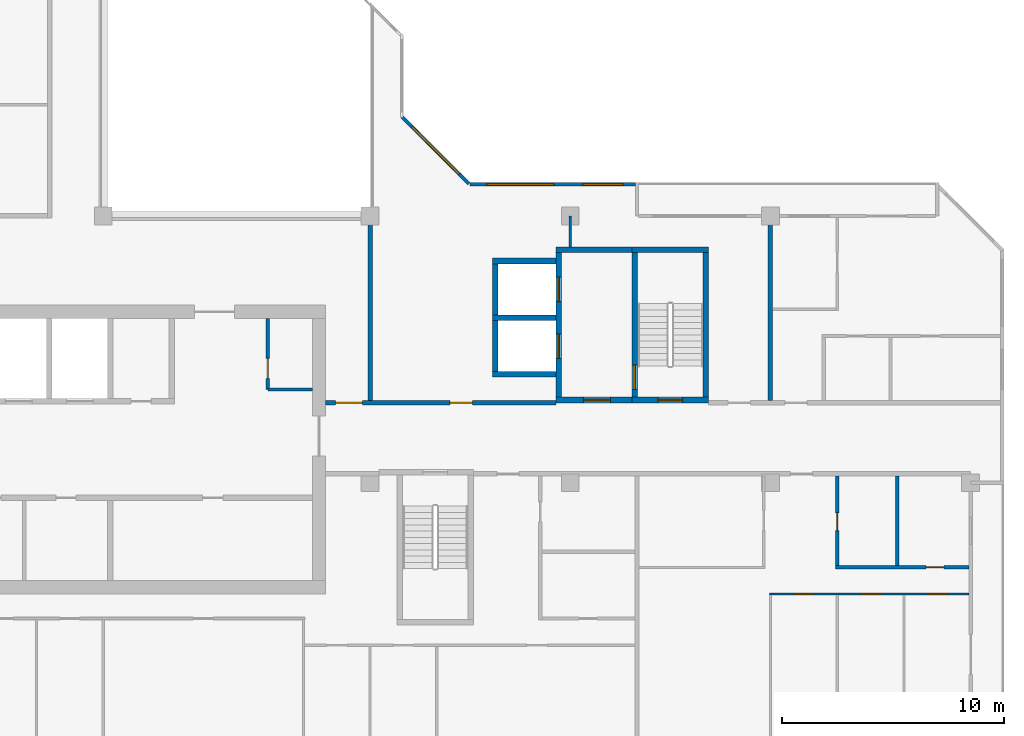
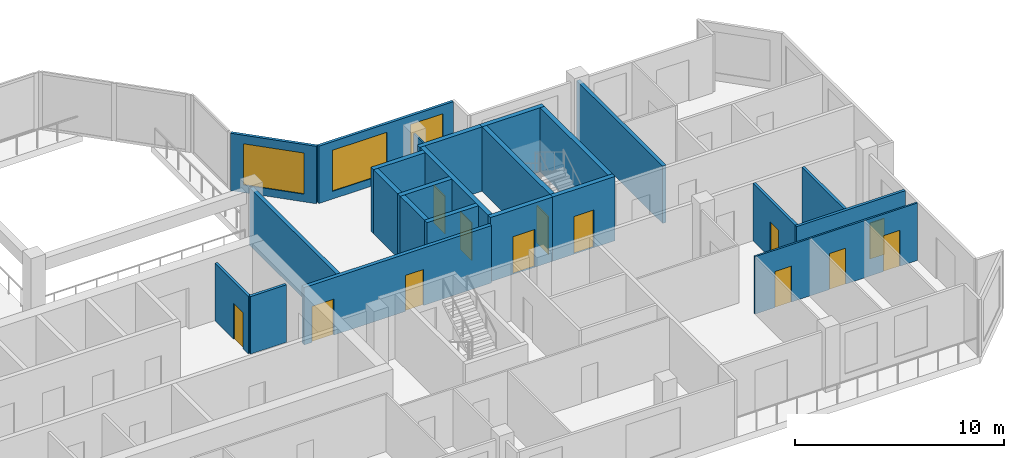
# One storey, part 7 of 13: 24 walls, 13 doors, 3 windows, 16 openings.
"""IFC4 building model written with IfcOpenShell, lengths in metres."""

import ifcopenshell
import ifcopenshell.guid

model = None  # the IFC model being written
_history = None  # IfcOwnerHistory: only IFC2X3 demands one
_inside = {}  # id of a spatial element -> (the spatial element, [elements in it])
_under = {}  # id of a project, library or spatial element -> (it, [spatial elements below it])
_declared = {}  # id of a project -> (the project, [libraries it declares])
_typed = {}  # id of a type object -> (the type object, [elements of that type])
_made_of = {}  # id of a material, layer set ... -> (it, [elements and type objects made of it])


def new_model(schema):
    """Start an empty IFC model of exactly this schema.

    Asked for "IFC4X3", IfcOpenShell would pick the latest addendum, in which some entities
    have other attributes; the version numbers below select the first issue.
    IFC2X3 requires an IfcOwnerHistory on every rooted entity: one is made here for all.
    """
    global model, _history
    if schema == "IFC4X3":
        model = ifcopenshell.file(schema_version=(4, 3, 0, 0))
    else:
        model = ifcopenshell.file(schema=schema)
    _inside.clear()
    _under.clear()
    _declared.clear()
    _typed.clear()
    _made_of.clear()
    _history = None
    if model.schema == "IFC2X3":
        org = make("IfcOrganization", Name="unknown")
        user = make(
            "IfcPersonAndOrganization",
            ThePerson=make("IfcPerson", FamilyName="unknown"),
            TheOrganization=org,
        )
        app = make(
            "IfcApplication",
            ApplicationDeveloper=org,
            Version="unknown",
            ApplicationFullName="unknown",
            ApplicationIdentifier="unknown",
        )
        _history = make(
            "IfcOwnerHistory",
            OwningUser=user,
            OwningApplication=app,
            ChangeAction="ADDED",
            CreationDate=0,
        )
    return model


def make(cls, **values):
    """One entity of the class cls with the attributes given. An attribute that is None is left unset."""
    return model.create_entity(
        cls, **{name: value for name, value in values.items() if value is not None}
    )


def rooted(cls, **values):
    """An entity with a GlobalId (a new one), such as an element, a storey or a relation."""
    return make(cls, GlobalId=ifcopenshell.guid.new(), OwnerHistory=_history, **values)


def si_unit(unit_type, name, prefix=None):
    """IfcSIUnit, for example si_unit("LENGTHUNIT", "METRE", prefix="MILLI")."""
    return make("IfcSIUnit", UnitType=unit_type, Prefix=prefix, Name=name)


def assignment(units):
    """IfcUnitAssignment: the units of a project."""
    return None if units is None else make("IfcUnitAssignment", Units=units)


def point(xyz):
    """IfcCartesianPoint."""
    return None if xyz is None else make("IfcCartesianPoint", Coordinates=xyz)


def direction(xyz):
    """IfcDirection."""
    return None if xyz is None else make("IfcDirection", DirectionRatios=xyz)


def frame(location, z_axis=None, x_axis=None):
    """IfcAxis2Placement3D, a coordinate frame: its origin and axes. An axis left out is left unset."""
    return make(
        "IfcAxis2Placement3D",
        Location=point(location),
        Axis=direction(z_axis),
        RefDirection=direction(x_axis),
    )


def frame_2d(location, x_axis=None):
    """IfcAxis2Placement2D, a coordinate frame in the plane: its origin and x axis."""
    return make(
        "IfcAxis2Placement2D", Location=point(location), RefDirection=direction(x_axis)
    )


def origin():
    """The frame at (0, 0, 0) with its axes left unset."""
    return frame((0.0, 0.0, 0.0))


def place(relative_to, where):
    """IfcLocalPlacement: puts the frame where relative to a parent placement (None: the world)."""
    return make(
        "IfcLocalPlacement", PlacementRelTo=relative_to, RelativePlacement=where
    )


def context(
    kind, dimensions, precision=None, world=None, true_north=None, identifier=None
):
    """IfcGeometricRepresentationContext, for example the 3D "Model" context."""
    return make(
        "IfcGeometricRepresentationContext",
        ContextIdentifier=identifier,
        ContextType=kind,
        CoordinateSpaceDimension=dimensions,
        Precision=precision,
        WorldCoordinateSystem=world,
        TrueNorth=true_north,
    )


def subcontext(parent, identifier, kind, view, scale=None):
    """IfcGeometricRepresentationSubContext, for example "Body" below "Model"."""
    return make(
        "IfcGeometricRepresentationSubContext",
        ContextIdentifier=identifier,
        ContextType=kind,
        ParentContext=parent,
        TargetScale=scale,
        TargetView=view,
    )


def project(units=None, contexts=None):
    """IfcProject with its units and contexts."""
    return rooted(
        "IfcProject",
        Name="project",
        RepresentationContexts=contexts,
        UnitsInContext=assignment(units),
    )


def spatial(cls, under=None, at=None, **own):
    """A site, building, storey or space (cls), placed at a placement, below another one or the project."""
    s = rooted(cls, ObjectPlacement=at, **own)
    if under is not None:
        _under.setdefault(under.id(), (under, []))[1].append(s)
    return s


def profile(cls, at=None, kind="AREA", **sizes):
    """A parametric profile (cls). Its sizes go by their IFC names, for example OverallWidth=200.0."""
    return make(cls, ProfileType=kind, Position=at, **sizes)


def rectangle(**sizes):
    """IfcRectangleProfileDef."""
    return profile("IfcRectangleProfileDef", **sizes)


def extrude(swept, where, along, depth):
    """IfcExtrudedAreaSolid: the profile swept, set in the frame where, extruded along a direction by depth."""
    return make(
        "IfcExtrudedAreaSolid",
        SweptArea=swept,
        Position=where,
        ExtrudedDirection=direction(along),
        Depth=depth,
    )


def shape(context_of_items, identifier, shape_type, items):
    """IfcShapeRepresentation: the items that make up one representation, for example the "Body"."""
    return make(
        "IfcShapeRepresentation",
        ContextOfItems=context_of_items,
        RepresentationIdentifier=identifier,
        RepresentationType=shape_type,
        Items=items,
    )


def material(Name=None, Category=None):
    """IfcMaterial."""
    return make("IfcMaterial", Name=Name, Category=Category)


def layer(
    of_material, thickness, ventilated=None, Name=None, Category=None, Priority=None
):
    """IfcMaterialLayer: one layer of a wall or slab, of a material (None: an air gap)."""
    return make(
        "IfcMaterialLayer",
        Material=of_material,
        LayerThickness=thickness,
        IsVentilated=ventilated,
        Name=Name,
        Category=Category,
        Priority=Priority,
    )


def layer_set(layers, Name=None):
    """IfcMaterialLayerSet."""
    return make("IfcMaterialLayerSet", MaterialLayers=layers, LayerSetName=Name)


def made_of(thing, what):
    """Note that an element or type object is made of a material, layer set ...; save() writes the relation."""
    if what is not None:
        _made_of.setdefault(what.id(), (what, []))[1].append(thing)
    return thing


def type_object(cls, material=None, **own):
    """A type object (cls), such as IfcWallType, which elements share."""
    return made_of(rooted(cls, **own), material)


def element(
    cls,
    number,
    at=None,
    inside=None,
    cuts=None,
    type_object=None,
    material=None,
    context=None,
    identifier="Body",
    shape_type=None,
    held_by="IfcProductDefinitionShape",
    body=None,
    shapes=None,
    **own,
):
    """One element of the class cls, such as IfcWall. Its Tag is "e" and its number.

    at: its placement. inside: the storey or other place that contains it. cuts: it is an
    opening in that element (IfcRelVoidsElement). A single representation is given by context,
    identifier, shape_type and body (its items); several are given by shapes. held_by: the class
    of the entity that holds the representations. save() writes the other relations.
    """
    e = rooted(cls, Tag="e%d" % number, ObjectPlacement=at, **own)
    if body is not None:
        shapes = [shape(context, identifier, shape_type, body)]
    if shapes is not None:
        e.Representation = make(held_by, Representations=shapes)
    if inside is not None:
        _inside.setdefault(inside.id(), (inside, []))[1].append(e)
    if cuts is not None:
        rooted(
            "IfcRelVoidsElement", RelatingBuildingElement=cuts, RelatedOpeningElement=e
        )
    if type_object is not None:
        _typed.setdefault(type_object.id(), (type_object, []))[1].append(e)
    return made_of(e, material)


def fill(opening, filler):
    """IfcRelFillsElement: the door or window that sits in an opening."""
    return rooted(
        "IfcRelFillsElement",
        RelatingOpeningElement=opening,
        RelatedBuildingElement=filler,
    )


def aggregate(whole, parts):
    """IfcRelAggregates: a whole, such as a stair, and the parts it consists of."""
    return rooted("IfcRelAggregates", RelatingObject=whole, RelatedObjects=parts)


def save(model, path):
    """Write the relations noted so far, then the file.

    IfcRelAggregates (storeys below a building ...), IfcRelContainedInSpatialStructure (elements
    in a storey), IfcRelDefinesByType, IfcRelAssociatesMaterial and IfcRelDeclares: one each for
    every whole, place, type object, material and project.
    """
    for whole, parts in _under.values():
        aggregate(whole, parts)
    for where, things in _inside.values():
        rooted(
            "IfcRelContainedInSpatialStructure",
            RelatedElements=things,
            RelatingStructure=where,
        )
    for kind, things in _typed.values():
        rooted("IfcRelDefinesByType", RelatedObjects=things, RelatingType=kind)
    for what, things in _made_of.values():
        rooted("IfcRelAssociatesMaterial", RelatedObjects=things, RelatingMaterial=what)
    for by, libraries in _declared.values():
        rooted("IfcRelDeclares", RelatingContext=by, RelatedDefinitions=libraries)
    model.write(path)


model = new_model("IFC4")

# Units and contexts
model_context = context("Model", 3, precision=1e-05, world=origin(), true_north=direction((0.0, 1.0)))
body_context = subcontext(model_context, "Body", "Model", "MODEL_VIEW")
ifc_project = project(units=[si_unit("LENGTHUNIT", "METRE"), si_unit("AREAUNIT", "SQUARE_METRE"), si_unit("VOLUMEUNIT", "CUBIC_METRE"), si_unit("PLANEANGLEUNIT", "RADIAN"), si_unit("MASSUNIT", "GRAM", prefix="KILO")], contexts=[model_context])

# Site, building, storey
site_placement = place(None, origin())
site = spatial("IfcSite", under=ifc_project, at=site_placement, CompositionType="ELEMENT")
building_placement = place(site_placement, origin())
building = spatial("IfcBuilding", under=site, at=building_placement, Name="Chenar Terraces", CompositionType="ELEMENT")
storey_placement = place(building_placement, frame((0.0, 0.0, 277.14990234375)))
storey = spatial("IfcBuildingStorey", under=building, at=storey_placement, Name="L64", CompositionType="ELEMENT", Elevation=277.14990234375)

# Wall, opening, door
ifc_material_1 = material(Name="Gypsum board on steel studs", Category="steel")
ifc_layer_1 = layer(ifc_material_1, 0.14990234375)
ifc_layer_set_1 = layer_set([ifc_layer_1], Name="Gypsum board on steel studs")
wall_type_1 = type_object("IfcWallType", Name="Core partition 150 gypsum board", PredefinedType="PARTITIONING", material=ifc_layer_set_1)
wall_1_placement = place(storey_placement, frame((31.39990234375, 16.199951171875, 0.0), z_axis=(0.0, 0.0, 1.0), x_axis=(0.0, 1.0, 0.0)))
wall_1 = element("IfcWall", 1, at=wall_1_placement, inside=storey, type_object=wall_type_1, Name="Core partition CP1 vestibule room west wall", PredefinedType="PARTITIONING", context=body_context, shape_type="SweptSolid", body=[
    extrude(rectangle(XDim=3.199951171875, YDim=0.14990234375, at=frame_2d((1.60009765625, 0.0))), origin(), (0.0, 0.0, 1.0), 3.35009765625),
])
opening_1_placement = place(wall_1_placement, frame((0.5, 0.0, 0.0)))
opening_1 = element("IfcOpeningElement", 2, at=opening_1_placement, cuts=wall_1, Name="Opening DL64-C17", PredefinedType="OPENING", context=body_context, shape_type="SweptSolid", body=[
    extrude(rectangle(XDim=0.89990234375, YDim=2.10009765625, at=frame_2d((0.449951171875, 1.050048828125))), frame((0.0, 0.0849609375, 0.0), z_axis=(0.0, -1.0, 0.0), x_axis=(1.0, 0.0, 0.0)), (0.0, 0.0, 1.0), 0.169921875),
])
ifc_material_2 = material(Name="Steel-framed fire-resisting door leaf", Category="steel")
door_type_1 = type_object("IfcDoorType", Name="Riser fire door FD60 900 x 2100", OperationType="SINGLE_SWING_LEFT", PredefinedType="DOOR", material=ifc_material_2)
door_1_placement = place(opening_1_placement, frame((0.89990234375, 0.0, 0.0), z_axis=(0.0, 0.0, 1.0), x_axis=(-1.0, 0.0, 0.0)))
door_1 = element("IfcDoor", 3, at=door_1_placement, inside=storey, type_object=door_type_1, Name="Core room door DL64-C17", OperationType="SINGLE_SWING_RIGHT", OverallHeight=2.10009765625, OverallWidth=0.89990234375, PredefinedType="DOOR", context=body_context, shape_type="SweptSolid", body=[
    extrude(rectangle(XDim=0.89990234375, YDim=2.10009765625, at=frame_2d((0.449951171875, 1.050048828125))), frame((0.0, 0.02490234375, 0.0), z_axis=(0.0, -1.0, 0.0), x_axis=(1.0, 0.0, 0.0)), (0.0, 0.0, 1.0), 0.050048828125),
])
fill(opening_1, door_1)

# Wall
wall_2_placement = place(storey_placement, frame((31.39990234375, 16.199951171875, 0.0), z_axis=(0.0, 0.0, 1.0), x_axis=(1.0, 0.0, 0.0)))
element("IfcWall", 4, at=wall_2_placement, inside=storey, type_object=wall_type_1, Name="Core partition CP1 vestibule room south wall", PredefinedType="PARTITIONING", context=body_context, shape_type="SweptSolid", body=[
    extrude(rectangle(XDim=2.0, YDim=0.14990234375, at=frame_2d((1.0, 0.0))), origin(), (0.0, 0.0, 1.0), 3.35009765625),
])

# Wall, opening, door
ifc_material_3 = material(Name="Concrete C50/60", Category="concrete")
ifc_layer_2 = layer(ifc_material_3, 0.25)
ifc_layer_set_2 = layer_set([ifc_layer_2], Name="Concrete C50/60")
wall_type_2 = type_object("IfcWallType", Name="Core wall 250 Concrete C50/60", PredefinedType="SHEAR", material=ifc_layer_set_2)
wall_3_placement = place(storey_placement, frame((47.77490234375, 15.72509765625, 0.0), z_axis=(0.0, 0.0, 1.0), x_axis=(1.0, 0.0, 0.0)))
wall_3 = element("IfcWall", 5, at=wall_3_placement, inside=storey, type_object=wall_type_2, Name="Core wall ST3_S L64", PredefinedType="SHEAR", context=body_context, shape_type="SweptSolid", body=[
    extrude(rectangle(XDim=3.4501953125, YDim=0.25, at=frame_2d((1.72509765625, 0.0))), origin(), (0.0, 0.0, 1.0), 3.75),
])
opening_2_placement = place(wall_3_placement, frame((1.175048828125, 0.0, 0.0)))
opening_2 = element("IfcOpeningElement", 6, at=opening_2_placement, cuts=wall_3, Name="Opening DL64-C8", PredefinedType="OPENING", context=body_context, shape_type="SweptSolid", body=[
    extrude(rectangle(XDim=1.10009765625, YDim=2.199951171875, at=frame_2d((0.550048828125, 1.10009765625))), frame((0.0, 0.135009765625, 0.0), z_axis=(0.0, -1.0, 0.0), x_axis=(1.0, 0.0, 0.0)), (0.0, 0.0, 1.0), 0.27001953125),
])
ifc_material_4 = material(Name="Steel-framed fire-resisting door leaf", Category="steel")
door_type_2 = type_object("IfcDoorType", Name="Stair fire door FD60 1100 x 2200", OperationType="SINGLE_SWING_LEFT", PredefinedType="DOOR", material=ifc_material_4)
door_2_placement = place(opening_2_placement, frame((1.10009765625, 0.0, 0.0), z_axis=(0.0, 0.0, 1.0), x_axis=(-1.0, 0.0, 0.0)))
door_2 = element("IfcDoor", 7, at=door_2_placement, inside=storey, type_object=door_type_2, Name="Stair door DL64-C8", OperationType="SINGLE_SWING_LEFT", OverallHeight=2.199951171875, OverallWidth=1.10009765625, PredefinedType="DOOR", context=body_context, shape_type="SweptSolid", body=[
    extrude(rectangle(XDim=1.10009765625, YDim=2.199951171875, at=frame_2d((0.550048828125, 1.10009765625))), frame((0.0, 0.02490234375, 0.0), z_axis=(0.0, -1.0, 0.0), x_axis=(1.0, 0.0, 0.0)), (0.0, 0.0, 1.0), 0.050048828125),
])
fill(opening_2, door_2)

# Wall
wall_4_placement = place(storey_placement, frame((47.77490234375, 22.47509765625, 0.0), z_axis=(0.0, 0.0, 1.0), x_axis=(1.0, 0.0, 0.0)))
element("IfcWall", 8, at=wall_4_placement, inside=storey, type_object=wall_type_2, Name="Core wall ST3_N L64", PredefinedType="SHEAR", context=body_context, shape_type="SweptSolid", body=[
    extrude(rectangle(XDim=3.4501953125, YDim=0.25, at=frame_2d((1.72509765625, 0.0))), origin(), (0.0, 0.0, 1.0), 3.75),
])

# Wall, opening, door
wall_5_placement = place(storey_placement, frame((47.89990234375, 15.85009765625, 0.0), z_axis=(0.0, 0.0, 1.0), x_axis=(0.0, 1.0, 0.0)))
wall_5 = element("IfcWall", 9, at=wall_5_placement, inside=storey, type_object=wall_type_2, Name="Core wall ST3_W L64", PredefinedType="SHEAR", context=body_context, shape_type="SweptSolid", body=[
    extrude(rectangle(XDim=6.5, YDim=0.25, at=frame_2d((3.25, 0.0))), origin(), (0.0, 0.0, 1.0), 3.75),
])
opening_3_placement = place(wall_5_placement, frame((0.35009765625, 0.0, 0.0)))
opening_3 = element("IfcOpeningElement", 10, at=opening_3_placement, cuts=wall_5, Name="Opening DL64-C11", PredefinedType="OPENING", context=body_context, shape_type="SweptSolid", body=[
    extrude(rectangle(XDim=1.10009765625, YDim=2.199951171875, at=frame_2d((0.550048828125, 1.10009765625))), frame((0.0, 0.135009765625, 0.0), z_axis=(0.0, -1.0, 0.0), x_axis=(1.0, 0.0, 0.0)), (0.0, 0.0, 1.0), 0.27001953125),
])
door_3_placement = place(opening_3_placement, frame((1.10009765625, 0.0, 0.0), z_axis=(0.0, 0.0, 1.0), x_axis=(-1.0, 0.0, 0.0)))
door_3 = element("IfcDoor", 11, at=door_3_placement, inside=storey, type_object=door_type_2, Name="Stair door DL64-C11", OperationType="SINGLE_SWING_RIGHT", OverallHeight=2.199951171875, OverallWidth=1.10009765625, PredefinedType="DOOR", context=body_context, shape_type="SweptSolid", body=[
    extrude(rectangle(XDim=1.10009765625, YDim=2.199951171875, at=frame_2d((0.550048828125, 1.10009765625))), frame((0.0, 0.02490234375, 0.0), z_axis=(0.0, -1.0, 0.0), x_axis=(1.0, 0.0, 0.0)), (0.0, 0.0, 1.0), 0.050048828125),
])
fill(opening_3, door_3)

# Wall
wall_6_placement = place(storey_placement, frame((51.10009765625, 15.85009765625, 0.0), z_axis=(0.0, 0.0, 1.0), x_axis=(0.0, 1.0, 0.0)))
element("IfcWall", 12, at=wall_6_placement, inside=storey, type_object=wall_type_2, Name="Core wall ST3_E L64", PredefinedType="SHEAR", context=body_context, shape_type="SweptSolid", body=[
    extrude(rectangle(XDim=6.5, YDim=0.25, at=frame_2d((3.25, 0.0))), origin(), (0.0, 0.0, 1.0), 3.75),
])

# Wall, opening, door
wall_7_placement = place(storey_placement, frame((44.35009765625, 15.72509765625, 0.0), z_axis=(0.0, 0.0, 1.0), x_axis=(1.0, 0.0, 0.0)))
wall_7 = element("IfcWall", 13, at=wall_7_placement, inside=storey, type_object=wall_type_2, Name="Core wall F3_LS L64", PredefinedType="SHEAR", context=body_context, shape_type="SweptSolid", body=[
    extrude(rectangle(XDim=3.4248046875, YDim=0.25, at=frame_2d((1.71240234375, 0.0))), origin(), (0.0, 0.0, 1.0), 3.75),
])
opening_4_placement = place(wall_7_placement, frame((1.25, 0.0, 0.0)))
opening_4 = element("IfcOpeningElement", 14, at=opening_4_placement, cuts=wall_7, Name="Opening DL64-C10", PredefinedType="OPENING", context=body_context, shape_type="SweptSolid", body=[
    extrude(rectangle(XDim=1.199951171875, YDim=2.199951171875, at=frame_2d((0.60009765625, 1.10009765625))), frame((0.0, 0.135009765625, 0.0), z_axis=(0.0, -1.0, 0.0), x_axis=(1.0, 0.0, 0.0)), (0.0, 0.0, 1.0), 0.27001953125),
])
ifc_material_5 = material(Name="Steel-framed fire-resisting door leaf", Category="steel")
door_type_3 = type_object("IfcDoorType", Name="Lobby fire door FD60 1200 x 2200", OperationType="SINGLE_SWING_LEFT", PredefinedType="DOOR", material=ifc_material_5)
door_4_placement = place(opening_4_placement, origin())
door_4 = element("IfcDoor", 15, at=door_4_placement, inside=storey, type_object=door_type_3, Name="Core door DL64-C10", OperationType="SINGLE_SWING_RIGHT", OverallHeight=2.199951171875, OverallWidth=1.199951171875, PredefinedType="DOOR", context=body_context, shape_type="SweptSolid", body=[
    extrude(rectangle(XDim=1.199951171875, YDim=2.199951171875, at=frame_2d((0.60009765625, 1.10009765625))), frame((0.0, 0.02490234375, 0.0), z_axis=(0.0, -1.0, 0.0), x_axis=(1.0, 0.0, 0.0)), (0.0, 0.0, 1.0), 0.050048828125),
])
fill(opening_4, door_4)

# Wall
wall_8_placement = place(storey_placement, frame((44.35009765625, 22.47509765625, 0.0), z_axis=(0.0, 0.0, 1.0), x_axis=(1.0, 0.0, 0.0)))
element("IfcWall", 16, at=wall_8_placement, inside=storey, type_object=wall_type_2, Name="Core wall F3_LN L64", PredefinedType="SHEAR", context=body_context, shape_type="SweptSolid", body=[
    extrude(rectangle(XDim=3.4248046875, YDim=0.25, at=frame_2d((1.71240234375, 0.0))), origin(), (0.0, 0.0, 1.0), 3.75),
])

# Wall, openings, doors
wall_9_placement = place(storey_placement, frame((44.47509765625, 15.85009765625, 0.0), z_axis=(0.0, 0.0, 1.0), x_axis=(0.0, 1.0, 0.0)))
wall_9 = element("IfcWall", 17, at=wall_9_placement, inside=storey, type_object=wall_type_2, Name="Core wall F3_LW L64", PredefinedType="SHEAR", context=body_context, shape_type="SweptSolid", body=[
    extrude(rectangle(XDim=6.5, YDim=0.25, at=frame_2d((3.25, 0.0))), origin(), (0.0, 0.0, 1.0), 3.75),
])
opening_5_placement = place(wall_9_placement, frame((1.75, 0.0, 0.0)))
opening_5 = element("IfcOpeningElement", 18, at=opening_5_placement, cuts=wall_9, Name="Opening DL64-LD8", PredefinedType="OPENING", context=body_context, shape_type="SweptSolid", body=[
    extrude(rectangle(XDim=1.10009765625, YDim=2.199951171875, at=frame_2d((0.550048828125, 1.10009765625))), frame((0.0, 0.135009765625, 0.0), z_axis=(0.0, -1.0, 0.0), x_axis=(1.0, 0.0, 0.0)), (0.0, 0.0, 1.0), 0.27001953125),
])
opening_6_placement = place(wall_9_placement, frame((4.300048828125, 0.0, 0.0)))
opening_6 = element("IfcOpeningElement", 19, at=opening_6_placement, cuts=wall_9, Name="Opening DL64-LD9", PredefinedType="OPENING", context=body_context, shape_type="SweptSolid", body=[
    extrude(rectangle(XDim=1.10009765625, YDim=2.199951171875, at=frame_2d((0.550048828125, 1.10009765625))), frame((0.0, 0.135009765625, 0.0), z_axis=(0.0, -1.0, 0.0), x_axis=(1.0, 0.0, 0.0)), (0.0, 0.0, 1.0), 0.27001953125),
])
ifc_material_6 = material(Name="Stainless steel", Category="steel")
door_type_4 = type_object("IfcDoorType", Name="Lift landing door 1100 x 2200 sliding", OperationType="DOUBLE_DOOR_SLIDING", PredefinedType="DOOR", material=ifc_material_6)
door_5_placement = place(opening_5_placement, origin())
door_5 = element("IfcDoor", 20, at=door_5_placement, inside=storey, type_object=door_type_4, Name="Landing door F3", OperationType="DOUBLE_DOOR_SLIDING", OverallHeight=2.199951171875, OverallWidth=1.10009765625, PredefinedType="DOOR", context=body_context, shape_type="SweptSolid", body=[
    extrude(rectangle(XDim=1.10009765625, YDim=2.199951171875, at=frame_2d((0.550048828125, 1.10009765625))), frame((0.0, 0.02490234375, 0.0), z_axis=(0.0, -1.0, 0.0), x_axis=(1.0, 0.0, 0.0)), (0.0, 0.0, 1.0), 0.050048828125),
])
fill(opening_5, door_5)
door_6_placement = place(opening_6_placement, origin())
door_6 = element("IfcDoor", 21, at=door_6_placement, inside=storey, type_object=door_type_4, Name="Landing door F4", OperationType="DOUBLE_DOOR_SLIDING", OverallHeight=2.199951171875, OverallWidth=1.10009765625, PredefinedType="DOOR", context=body_context, shape_type="SweptSolid", body=[
    extrude(rectangle(XDim=1.10009765625, YDim=2.199951171875, at=frame_2d((0.550048828125, 1.10009765625))), frame((0.0, 0.02490234375, 0.0), z_axis=(0.0, -1.0, 0.0), x_axis=(1.0, 0.0, 0.0)), (0.0, 0.0, 1.0), 0.050048828125),
])
fill(opening_6, door_6)

# Walls
for number, where, z_axis, x_axis, name in (
    (22, (41.5, 16.875, 0.0), (0.0, 0.0, 1.0), (1.0, 0.0, 0.0), "Core wall F3_SS L64"),
    (23, (41.5, 19.425048828125, 0.0), (0.0, 0.0, 1.0), (1.0, 0.0, 0.0), "Core wall F3_SM L64"),
    (24, (41.5, 21.97509765625, 0.0), (0.0, 0.0, 1.0), (1.0, 0.0, 0.0), "Core wall F4_SN L64"),
):
    element("IfcWall", number, at=place(storey_placement, frame(where, z_axis=z_axis, x_axis=x_axis)), inside=storey, type_object=wall_type_2, Name=name, PredefinedType="SHEAR", context=body_context, shape_type="SweptSolid", body=[
        extrude(rectangle(XDim=2.85009765625, YDim=0.25, at=frame_2d((1.425048828125, 0.0))), origin(), (0.0, 0.0, 1.0), 3.75),
    ])
for number, where, z_axis, x_axis, name in (
    (25, (41.625, 17.0, 0.0), (0.0, 0.0, 1.0), (0.0, 1.0, 0.0), "Core wall F3_SW L64"),
    (26, (41.625, 19.550048828125, 0.0), (0.0, 0.0, 1.0), (0.0, 1.0, 0.0), "Core wall F4_SW L64"),
):
    element("IfcWall", number, at=place(storey_placement, frame(where, z_axis=z_axis, x_axis=x_axis)), inside=storey, type_object=wall_type_2, Name=name, PredefinedType="SHEAR", context=body_context, shape_type="SweptSolid", body=[
        extrude(rectangle(XDim=2.300048828125, YDim=0.25, at=frame_2d((1.14990234375, 0.0))), origin(), (0.0, 0.0, 1.0), 3.75),
    ])

# Wall, openings, doors
ifc_material_7 = material(Name="Gypsum board on steel studs with fire boards", Category="steel")
ifc_layer_3 = layer(ifc_material_7, 0.199951171875)
ifc_layer_set_3 = layer_set([ifc_layer_3], Name="Gypsum board on steel studs with fire boards")
wall_type_3 = type_object("IfcWallType", Name="Corridor wall 200", PredefinedType="PARTITIONING", material=ifc_layer_set_3)
wall_10_placement = place(storey_placement, frame((34.0, 15.60009765625, 0.0), z_axis=(0.0, 0.0, 1.0), x_axis=(1.0, 0.0, 0.0)))
wall_10 = element("IfcWall", 27, at=wall_10_placement, inside=storey, type_object=wall_type_3, Name="Partition L64-048", PredefinedType="PARTITIONING", context=body_context, shape_type="SweptSolid", body=[
    extrude(rectangle(XDim=10.35009765625, YDim=0.199951171875, at=frame_2d((5.175048828125, 0.0))), origin(), (0.0, 0.0, 1.0), 3.35009765625),
])
opening_7_placement = place(wall_10_placement, frame((5.60009765625, 0.0, 0.0)))
opening_7 = element("IfcOpeningElement", 28, at=opening_7_placement, cuts=wall_10, Name="Opening DL64-3", PredefinedType="OPENING", context=body_context, shape_type="SweptSolid", body=[
    extrude(rectangle(XDim=1.0, YDim=2.10009765625, at=frame_2d((0.5, 1.050048828125))), frame((0.0, 0.10986328125, 0.0), z_axis=(0.0, -1.0, 0.0), x_axis=(1.0, 0.0, 0.0)), (0.0, 0.0, 1.0), 0.219970703125),
])
opening_8_placement = place(wall_10_placement, frame((0.449951171875, 0.0, 0.0)))
opening_8 = element("IfcOpeningElement", 29, at=opening_8_placement, cuts=wall_10, Name="Opening DL64-29", PredefinedType="OPENING", context=body_context, shape_type="SweptSolid", body=[
    extrude(rectangle(XDim=1.199951171875, YDim=2.10009765625, at=frame_2d((0.60009765625, 1.050048828125))), frame((0.0, 0.10986328125, 0.0), z_axis=(0.0, -1.0, 0.0), x_axis=(1.0, 0.0, 0.0)), (0.0, 0.0, 1.0), 0.219970703125),
])
ifc_material_8 = material(Name="Steel-framed fire-resisting door leaf", Category="steel")
door_type_5 = type_object("IfcDoorType", Name="Fire door FD60 1000 x 2100", OperationType="SINGLE_SWING_LEFT", PredefinedType="DOOR", material=ifc_material_8)
door_7_placement = place(opening_7_placement, origin())
door_7 = element("IfcDoor", 30, at=door_7_placement, inside=storey, type_object=door_type_5, Name="Door DL64-3", OperationType="SINGLE_SWING_RIGHT", OverallHeight=2.10009765625, OverallWidth=1.0, PredefinedType="DOOR", context=body_context, shape_type="SweptSolid", body=[
    extrude(rectangle(XDim=1.0, YDim=2.10009765625, at=frame_2d((0.5, 1.050048828125))), frame((0.0, 0.02490234375, 0.0), z_axis=(0.0, -1.0, 0.0), x_axis=(1.0, 0.0, 0.0)), (0.0, 0.0, 1.0), 0.050048828125),
])
fill(opening_7, door_7)
ifc_material_9 = material(Name="Steel-framed fire-resisting door leaf", Category="steel")
door_type_6 = type_object("IfcDoorType", Name="Fire door FD60 1200 x 2100", OperationType="SINGLE_SWING_LEFT", PredefinedType="DOOR", material=ifc_material_9)
door_8_placement = place(opening_8_placement, origin())
door_8 = element("IfcDoor", 31, at=door_8_placement, inside=storey, type_object=door_type_6, Name="Door DL64-29", OperationType="SINGLE_SWING_RIGHT", OverallHeight=2.10009765625, OverallWidth=1.199951171875, PredefinedType="DOOR", context=body_context, shape_type="SweptSolid", body=[
    extrude(rectangle(XDim=1.199951171875, YDim=2.10009765625, at=frame_2d((0.60009765625, 1.050048828125))), frame((0.0, 0.02490234375, 0.0), z_axis=(0.0, -1.0, 0.0), x_axis=(1.0, 0.0, 0.0)), (0.0, 0.0, 1.0), 0.050048828125),
])
fill(opening_8, door_8)

# Wall
wall_11_placement = place(storey_placement, frame((36.0, 15.699951171875, 0.0), z_axis=(0.0, 0.0, 1.0), x_axis=(0.0, 1.0, 0.0)))
element("IfcWall", 32, at=wall_11_placement, inside=storey, type_object=wall_type_3, Name="Partition L64-050", PredefinedType="PARTITIONING", context=body_context, shape_type="SweptSolid", body=[
    extrude(rectangle(XDim=8.300048828125, YDim=0.199951171875, at=frame_2d((4.14990234375, 0.0))), origin(), (0.0, 0.0, 1.0), 3.35009765625),
])

# Wall, openings, windows
ifc_material_10 = material(Name="Aluminium framed glazing", Category="aluminium")
ifc_layer_4 = layer(ifc_material_10, 0.14990234375)
ifc_layer_set_4 = layer_set([ifc_layer_4], Name="Aluminium framed glazing")
wall_type_4 = type_object("IfcWallType", Name="Glazed flush facade wall 150", PredefinedType="SOLIDWALL", material=ifc_layer_set_4)
wall_12_placement = place(storey_placement, frame((47.925048828125, 25.425048828125, 0.0), z_axis=(0.0, 0.0, 1.0), x_axis=(-1.0, 0.0, 0.0)))
wall_12 = element("IfcWall", 33, at=wall_12_placement, inside=storey, type_object=wall_type_4, Name="Glazed flush facade wall", PredefinedType="SOLIDWALL", context=body_context, shape_type="SweptSolid", body=[
    extrude(rectangle(XDim=7.425048828125, YDim=0.14990234375, at=frame_2d((3.71240234375, 0.0))), origin(), (0.0, 0.0, 1.0), 3.35009765625),
])
opening_9_placement = place(wall_12_placement, frame((0.5625, 0.0, 0.449951171875)))
opening_9 = element("IfcOpeningElement", 34, at=opening_9_placement, cuts=wall_12, Name="Opening W180x240", PredefinedType="OPENING", context=body_context, shape_type="SweptSolid", body=[
    extrude(rectangle(XDim=1.800048828125, YDim=2.39990234375, at=frame_2d((0.89990234375, 1.199951171875))), frame((0.0, 0.0849609375, 0.0), z_axis=(0.0, -1.0, 0.0), x_axis=(1.0, 0.0, 0.0)), (0.0, 0.0, 1.0), 0.169921875),
])
opening_10_placement = place(wall_12_placement, frame((3.675048828125, 0.0, 0.449951171875)))
opening_10 = element("IfcOpeningElement", 35, at=opening_10_placement, cuts=wall_12, Name="Opening W300x240", PredefinedType="OPENING", context=body_context, shape_type="SweptSolid", body=[
    extrude(rectangle(XDim=3.0, YDim=2.39990234375, at=frame_2d((1.5, 1.199951171875))), frame((0.0, 0.0849609375, 0.0), z_axis=(0.0, -1.0, 0.0), x_axis=(1.0, 0.0, 0.0)), (0.0, 0.0, 1.0), 0.169921875),
])
ifc_material_11 = material(Name="Low emissivity double glazing, aluminium frame", Category="aluminium")
window_type_1 = type_object("IfcWindowType", Name="Fixed light 1800 x 2400", PartitioningType="SINGLE_PANEL", PredefinedType="WINDOW", material=ifc_material_11)
window_1_placement = place(opening_9_placement, origin())
window_1 = element("IfcWindow", 36, at=window_1_placement, inside=storey, type_object=window_type_1, Name="Window", OverallHeight=2.39990234375, OverallWidth=1.800048828125, PartitioningType="SINGLE_PANEL", PredefinedType="WINDOW", context=body_context, shape_type="SweptSolid", body=[
    extrude(rectangle(XDim=1.800048828125, YDim=2.39990234375, at=frame_2d((0.89990234375, 1.199951171875))), frame((0.0, 0.030029296875, 0.0), z_axis=(0.0, -1.0, 0.0), x_axis=(1.0, 0.0, 0.0)), (0.0, 0.0, 1.0), 0.06005859375),
])
fill(opening_9, window_1)
ifc_material_12 = material(Name="Low emissivity double glazing, aluminium frame", Category="aluminium")
window_type_2 = type_object("IfcWindowType", Name="Fixed light 3000 x 2400", PartitioningType="SINGLE_PANEL", PredefinedType="WINDOW", material=ifc_material_12)
window_2_placement = place(opening_10_placement, origin())
window_2 = element("IfcWindow", 37, at=window_2_placement, inside=storey, type_object=window_type_2, Name="Window", OverallHeight=2.39990234375, OverallWidth=3.0, PartitioningType="SINGLE_PANEL", PredefinedType="WINDOW", context=body_context, shape_type="SweptSolid", body=[
    extrude(rectangle(XDim=3.0, YDim=2.39990234375, at=frame_2d((1.5, 1.199951171875))), frame((0.0, 0.030029296875, 0.0), z_axis=(0.0, -1.0, 0.0), x_axis=(1.0, 0.0, 0.0)), (0.0, 0.0, 1.0), 0.06005859375),
])
fill(opening_10, window_2)

# Wall
ifc_material_13 = material(Name="Gypsum board on steel studs", Category="steel")
ifc_layer_5 = layer(ifc_material_13, 0.10009765625)
ifc_layer_set_5 = layer_set([ifc_layer_5], Name="Gypsum board on steel studs")
wall_type_5 = type_object("IfcWallType", Name="Gypsum partition 100", PredefinedType="PARTITIONING", material=ifc_layer_set_5)
wall_13_placement = place(storey_placement, frame((45.0, 22.60009765625, 0.0), z_axis=(0.0, 0.0, 1.0), x_axis=(0.0, 1.0, 0.0)))
element("IfcWall", 38, at=wall_13_placement, inside=storey, type_object=wall_type_5, Name="Partition L64-056", PredefinedType="PARTITIONING", context=body_context, shape_type="SweptSolid", body=[
    extrude(rectangle(XDim=1.39990234375, YDim=0.10009765625, at=frame_2d((0.699951171875, 0.0))), origin(), (0.0, 0.0, 1.0), 3.35009765625),
])

# Wall, openings, doors
wall_14_placement = place(storey_placement, frame((53.949951171875, 7.0, 0.0), z_axis=(0.0, 0.0, 1.0), x_axis=(1.0, 0.0, 0.0)))
wall_14 = element("IfcWall", 39, at=wall_14_placement, inside=storey, type_object=wall_type_5, Name="Partition L64-061", PredefinedType="PARTITIONING", context=body_context, shape_type="SweptSolid", body=[
    extrude(rectangle(XDim=8.97607421875, YDim=0.10009765625, at=frame_2d((4.488037109375, 0.0))), origin(), (0.0, 0.0, 1.0), 3.35009765625),
])
opening_11_placement = place(wall_14_placement, frame((1.10009765625, 0.0, 0.0)))
opening_11 = element("IfcOpeningElement", 40, at=opening_11_placement, cuts=wall_14, Name="Opening DL64-9", PredefinedType="OPENING", context=body_context, shape_type="SweptSolid", body=[
    extrude(rectangle(XDim=0.89990234375, YDim=2.10009765625, at=frame_2d((0.449951171875, 1.050048828125))), frame((0.0, 0.06005859375, 0.0), z_axis=(0.0, -1.0, 0.0), x_axis=(1.0, 0.0, 0.0)), (0.0, 0.0, 1.0), 0.1201171875),
])
opening_12_placement = place(wall_14_placement, frame((4.10009765625, 0.0, 0.0)))
opening_12 = element("IfcOpeningElement", 41, at=opening_12_placement, cuts=wall_14, Name="Opening DL64-10", PredefinedType="OPENING", context=body_context, shape_type="SweptSolid", body=[
    extrude(rectangle(XDim=0.89990234375, YDim=2.10009765625, at=frame_2d((0.449951171875, 1.050048828125))), frame((0.0, 0.06005859375, 0.0), z_axis=(0.0, -1.0, 0.0), x_axis=(1.0, 0.0, 0.0)), (0.0, 0.0, 1.0), 0.1201171875),
])
opening_13_placement = place(wall_14_placement, frame((7.10009765625, 0.0, 0.0)))
opening_13 = element("IfcOpeningElement", 42, at=opening_13_placement, cuts=wall_14, Name="Opening DL64-14", PredefinedType="OPENING", context=body_context, shape_type="SweptSolid", body=[
    extrude(rectangle(XDim=0.89990234375, YDim=2.10009765625, at=frame_2d((0.449951171875, 1.050048828125))), frame((0.0, 0.06005859375, 0.0), z_axis=(0.0, -1.0, 0.0), x_axis=(1.0, 0.0, 0.0)), (0.0, 0.0, 1.0), 0.1201171875),
])
ifc_material_14 = material(Name="Veneered timber door leaf", Category="wood")
door_type_7 = type_object("IfcDoorType", Name="Door 900 x 2100", OperationType="SINGLE_SWING_LEFT", PredefinedType="DOOR", material=ifc_material_14)
door_9_placement = place(opening_11_placement, frame((0.89990234375, 0.0, 0.0), z_axis=(0.0, 0.0, 1.0), x_axis=(-1.0, 0.0, 0.0)))
door_9 = element("IfcDoor", 43, at=door_9_placement, inside=storey, type_object=door_type_7, Name="Door DL64-9", OperationType="SINGLE_SWING_RIGHT", OverallHeight=2.10009765625, OverallWidth=0.89990234375, PredefinedType="DOOR", context=body_context, shape_type="SweptSolid", body=[
    extrude(rectangle(XDim=0.89990234375, YDim=2.10009765625, at=frame_2d((0.449951171875, 1.050048828125))), frame((0.0, 0.02490234375, 0.0), z_axis=(0.0, -1.0, 0.0), x_axis=(1.0, 0.0, 0.0)), (0.0, 0.0, 1.0), 0.050048828125),
])
fill(opening_11, door_9)
door_10_placement = place(opening_12_placement, frame((0.89990234375, 0.0, 0.0), z_axis=(0.0, 0.0, 1.0), x_axis=(-1.0, 0.0, 0.0)))
door_10 = element("IfcDoor", 44, at=door_10_placement, inside=storey, type_object=door_type_7, Name="Door DL64-10", OperationType="SINGLE_SWING_RIGHT", OverallHeight=2.10009765625, OverallWidth=0.89990234375, PredefinedType="DOOR", context=body_context, shape_type="SweptSolid", body=[
    extrude(rectangle(XDim=0.89990234375, YDim=2.10009765625, at=frame_2d((0.449951171875, 1.050048828125))), frame((0.0, 0.02490234375, 0.0), z_axis=(0.0, -1.0, 0.0), x_axis=(1.0, 0.0, 0.0)), (0.0, 0.0, 1.0), 0.050048828125),
])
fill(opening_12, door_10)
door_11_placement = place(opening_13_placement, frame((0.89990234375, 0.0, 0.0), z_axis=(0.0, 0.0, 1.0), x_axis=(-1.0, 0.0, 0.0)))
door_11 = element("IfcDoor", 45, at=door_11_placement, inside=storey, type_object=door_type_7, Name="Door DL64-14", OperationType="SINGLE_SWING_RIGHT", OverallHeight=2.10009765625, OverallWidth=0.89990234375, PredefinedType="DOOR", context=body_context, shape_type="SweptSolid", body=[
    extrude(rectangle(XDim=0.89990234375, YDim=2.10009765625, at=frame_2d((0.449951171875, 1.050048828125))), frame((0.0, 0.02490234375, 0.0), z_axis=(0.0, -1.0, 0.0), x_axis=(1.0, 0.0, 0.0)), (0.0, 0.0, 1.0), 0.050048828125),
])
fill(opening_13, door_11)

# Wall, opening, window
ifc_material_15 = material(Name="Terracotta cladding on insulated backing", Category="masonry")
ifc_layer_6 = layer(ifc_material_15, 0.14990234375)
ifc_layer_set_6 = layer_set([ifc_layer_6], Name="Terracotta cladding on insulated backing")
wall_type_6 = type_object("IfcWallType", Name="Terracotta rainscreen wall 150", PredefinedType="SOLIDWALL", material=ifc_layer_set_6)
wall_15_placement = place(storey_placement, frame((40.447021484375, 25.447021484375, 0.0), z_axis=(0.0, 0.0, 1.0), x_axis=(-0.707106781187, 0.707106781187, 0.0)))
wall_15 = element("IfcWall", 46, at=wall_15_placement, inside=storey, type_object=wall_type_6, Name="Terracotta rainscreen wall", PredefinedType="SOLIDWALL", context=body_context, shape_type="SweptSolid", body=[
    extrude(rectangle(XDim=4.24267578125, YDim=0.14990234375, at=frame_2d((2.121337890625, 0.0))), origin(), (0.0, 0.0, 1.0), 3.35009765625),
])
opening_14_placement = place(wall_15_placement, frame((0.621337890625, 0.0, 0.449951171875)))
opening_14 = element("IfcOpeningElement", 47, at=opening_14_placement, cuts=wall_15, Name="Opening W300x240", PredefinedType="OPENING", context=body_context, shape_type="SweptSolid", body=[
    extrude(rectangle(XDim=3.0, YDim=2.39990234375, at=frame_2d((1.5, 1.199951171875))), frame((0.0, 0.0849609375, 0.0), z_axis=(0.0, -1.0, 0.0), x_axis=(1.0, 0.0, 0.0)), (0.0, 0.0, 1.0), 0.169921875),
])
window_3_placement = place(opening_14_placement, origin())
window_3 = element("IfcWindow", 48, at=window_3_placement, inside=storey, type_object=window_type_2, Name="Window", OverallHeight=2.39990234375, OverallWidth=3.0, PartitioningType="SINGLE_PANEL", PredefinedType="WINDOW", context=body_context, shape_type="SweptSolid", body=[
    extrude(rectangle(XDim=3.0, YDim=2.39990234375, at=frame_2d((1.5, 1.199951171875))), frame((0.0, 0.030029296875, 0.0), z_axis=(0.0, -1.0, 0.0), x_axis=(1.0, 0.0, 0.0)), (0.0, 0.0, 1.0), 0.06005859375),
])
fill(opening_14, window_3)

# Wall
ifc_material_16 = material(Name="Twin gypsum board on steel studs with mineral wool", Category="steel")
ifc_layer_7 = layer(ifc_material_16, 0.199951171875)
ifc_layer_set_7 = layer_set([ifc_layer_7], Name="Twin gypsum board on steel studs with mineral wool")
wall_type_7 = type_object("IfcWallType", Name="Unit demising wall 200", PredefinedType="PARTITIONING", material=ifc_layer_set_7)
wall_16_placement = place(storey_placement, frame((54.0, 15.699951171875, 0.0), z_axis=(0.0, 0.0, 1.0), x_axis=(0.0, 1.0, 0.0)))
element("IfcWall", 49, at=wall_16_placement, inside=storey, type_object=wall_type_7, Name="Partition L64-063", PredefinedType="PARTITIONING", context=body_context, shape_type="SweptSolid", body=[
    extrude(rectangle(XDim=8.22607421875, YDim=0.199951171875, at=frame_2d((4.113037109375, 0.0))), origin(), (0.0, 0.0, 1.0), 3.35009765625),
])

# Wall, opening, door
ifc_material_17 = material(Name="Moisture-resistant gypsum board on steel studs", Category="steel")
ifc_layer_8 = layer(ifc_material_17, 0.14990234375)
ifc_layer_set_8 = layer_set([ifc_layer_8], Name="Moisture-resistant gypsum board on steel studs")
wall_type_8 = type_object("IfcWallType", Name="Wet-room partition 150", PredefinedType="PARTITIONING", material=ifc_layer_set_8)
wall_17_placement = place(storey_placement, frame((56.925048828125, 8.199951171875, 0.0), z_axis=(0.0, 0.0, 1.0), x_axis=(1.0, 0.0, 0.0)))
wall_17 = element("IfcWall", 50, at=wall_17_placement, inside=storey, type_object=wall_type_8, Name="Partition L64-067", PredefinedType="PARTITIONING", context=body_context, shape_type="SweptSolid", body=[
    extrude(rectangle(XDim=6.0009765625, YDim=0.14990234375, at=frame_2d((3.00048828125, 0.0))), origin(), (0.0, 0.0, 1.0), 3.35009765625),
])
opening_15_placement = place(wall_17_placement, frame((4.074951171875, 0.0, 0.0)))
opening_15 = element("IfcOpeningElement", 51, at=opening_15_placement, cuts=wall_17, Name="Opening DL64-12", PredefinedType="OPENING", context=body_context, shape_type="SweptSolid", body=[
    extrude(rectangle(XDim=0.800048828125, YDim=2.10009765625, at=frame_2d((0.39990234375, 1.050048828125))), frame((0.0, 0.0849609375, 0.0), z_axis=(0.0, -1.0, 0.0), x_axis=(1.0, 0.0, 0.0)), (0.0, 0.0, 1.0), 0.169921875),
])
ifc_material_18 = material(Name="Veneered timber door leaf", Category="wood")
door_type_8 = type_object("IfcDoorType", Name="Door 800 x 2100", OperationType="SINGLE_SWING_LEFT", PredefinedType="DOOR", material=ifc_material_18)
door_12_placement = place(opening_15_placement, origin())
door_12 = element("IfcDoor", 52, at=door_12_placement, inside=storey, type_object=door_type_8, Name="Door DL64-12", OperationType="SINGLE_SWING_RIGHT", OverallHeight=2.10009765625, OverallWidth=0.800048828125, PredefinedType="DOOR", context=body_context, shape_type="SweptSolid", body=[
    extrude(rectangle(XDim=0.800048828125, YDim=2.10009765625, at=frame_2d((0.39990234375, 1.050048828125))), frame((0.0, 0.02490234375, 0.0), z_axis=(0.0, -1.0, 0.0), x_axis=(1.0, 0.0, 0.0)), (0.0, 0.0, 1.0), 0.050048828125),
])
fill(opening_15, door_12)

wall_18_placement = place(storey_placement, frame((57.0, 8.27490234375, 0.0), z_axis=(0.0, 0.0, 1.0), x_axis=(0.0, 1.0, 0.0)))
wall_18 = element("IfcWall", 53, at=wall_18_placement, inside=storey, type_object=wall_type_8, Name="Partition L64-069", PredefinedType="PARTITIONING", context=body_context, shape_type="SweptSolid", body=[
    extrude(rectangle(XDim=4.025146484375, YDim=0.14990234375, at=frame_2d((2.0126953125, 0.0))), origin(), (0.0, 0.0, 1.0), 3.35009765625),
])
opening_16_placement = place(wall_18_placement, frame((1.574951171875, 0.0, 0.0)))
opening_16 = element("IfcOpeningElement", 54, at=opening_16_placement, cuts=wall_18, Name="Opening DL64-8", PredefinedType="OPENING", context=body_context, shape_type="SweptSolid", body=[
    extrude(rectangle(XDim=0.800048828125, YDim=2.10009765625, at=frame_2d((0.39990234375, 1.050048828125))), frame((0.0, 0.0849609375, 0.0), z_axis=(0.0, -1.0, 0.0), x_axis=(1.0, 0.0, 0.0)), (0.0, 0.0, 1.0), 0.169921875),
])
door_13_placement = place(opening_16_placement, frame((0.800048828125, 0.0, 0.0), z_axis=(0.0, 0.0, 1.0), x_axis=(-1.0, 0.0, 0.0)))
door_13 = element("IfcDoor", 55, at=door_13_placement, inside=storey, type_object=door_type_8, Name="Door DL64-8", OperationType="SINGLE_SWING_LEFT", OverallHeight=2.10009765625, OverallWidth=0.800048828125, PredefinedType="DOOR", context=body_context, shape_type="SweptSolid", body=[
    extrude(rectangle(XDim=0.800048828125, YDim=2.10009765625, at=frame_2d((0.39990234375, 1.050048828125))), frame((0.0, 0.02490234375, 0.0), z_axis=(0.0, -1.0, 0.0), x_axis=(1.0, 0.0, 0.0)), (0.0, 0.0, 1.0), 0.050048828125),
])
fill(opening_16, door_13)

# Wall
wall_19_placement = place(storey_placement, frame((59.699951171875, 8.27490234375, 0.0), z_axis=(0.0, 0.0, 1.0), x_axis=(0.0, 1.0, 0.0)))
element("IfcWall", 56, at=wall_19_placement, inside=storey, type_object=wall_type_8, Name="Partition L64-072", PredefinedType="PARTITIONING", context=body_context, shape_type="SweptSolid", body=[
    extrude(rectangle(XDim=4.025146484375, YDim=0.14990234375, at=frame_2d((2.0126953125, 0.0))), origin(), (0.0, 0.0, 1.0), 3.35009765625),
])

save(model, "model.ifc")
